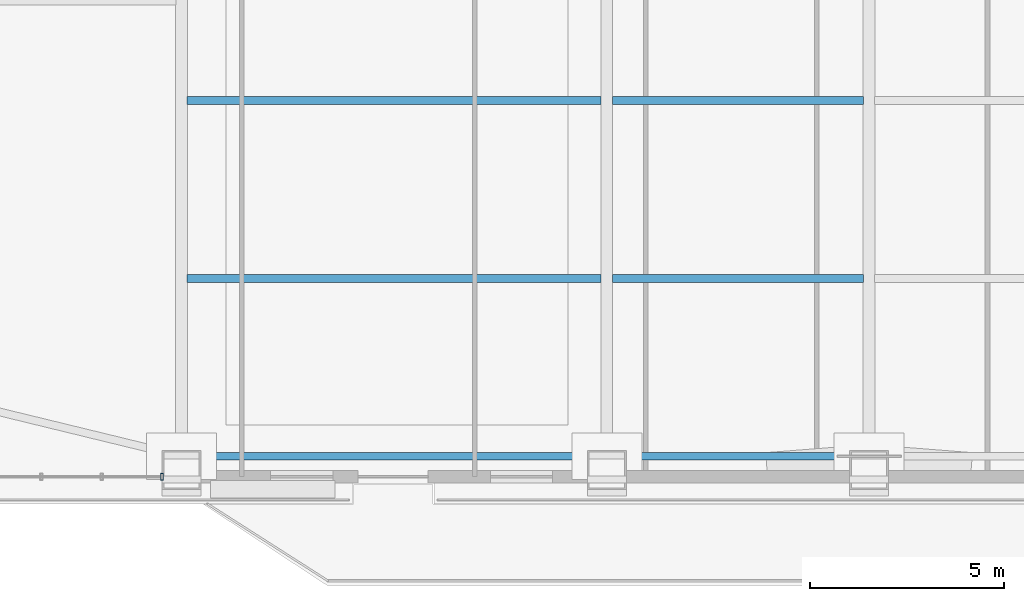
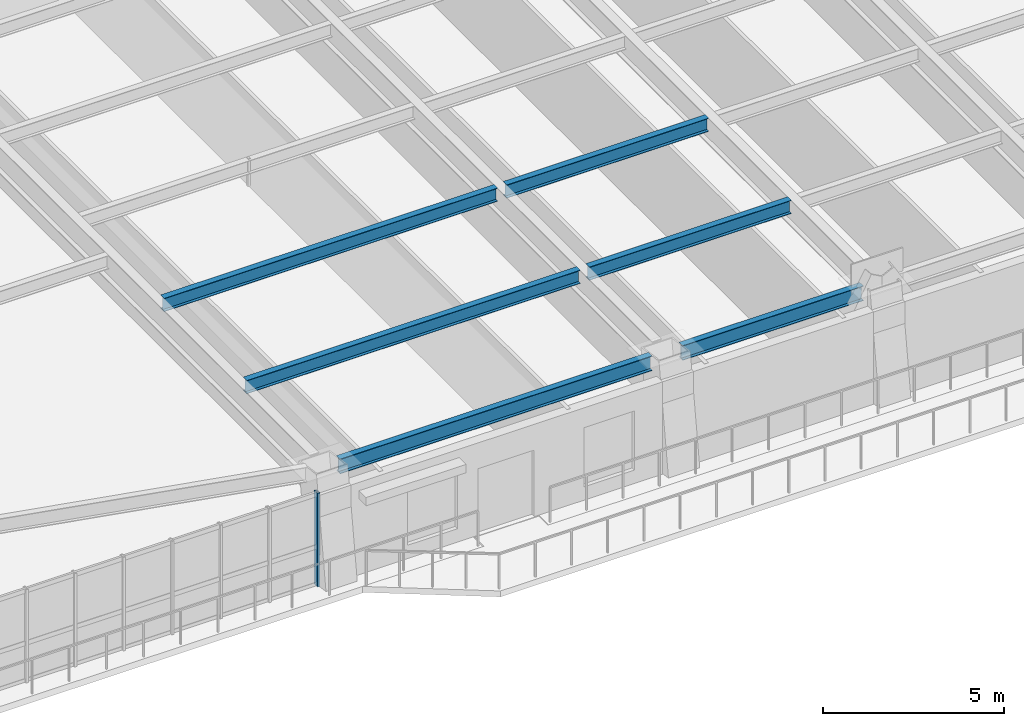
# One storey, part 4 of 18: 6 beams, 1 member, 1 element without a shape of its own.
"""IFC4 building model written with IfcOpenShell, lengths in metres."""

from ifc_helpers import new_model, si_unit, direction, frame, origin, origin_2d, place, context, subcontext, project, spatial, hollow_rectangle, i_section, extrude, source, transform, mapped, material, layer, layer_set, material_profile, profile_set, type_object, element, aggregate, save


model = new_model("IFC4")

# Units and contexts
model_context = context("Model", 3, precision=1e-05, world=origin(), true_north=direction((0.0, 1.0)))
body_context = subcontext(model_context, "Body", "Model", "MODEL_VIEW")
ifc_project = project(units=[si_unit("LENGTHUNIT", "METRE"), si_unit("AREAUNIT", "SQUARE_METRE"), si_unit("VOLUMEUNIT", "CUBIC_METRE"), si_unit("PLANEANGLEUNIT", "RADIAN"), si_unit("MASSUNIT", "GRAM", prefix="KILO")], contexts=[model_context])

# Site, building, storey
site_placement = place(None, origin())
site = spatial("IfcSite", under=ifc_project, at=site_placement, CompositionType="ELEMENT")
building_placement = place(site_placement, origin())
building = spatial("IfcBuilding", under=site, at=building_placement, Name="Giltprow Tower", CompositionType="ELEMENT")
storey_placement = place(building_placement, frame((0.0, 0.0, 68.89990234375)))
storey = spatial("IfcBuildingStorey", under=building, at=storey_placement, Name="L17", CompositionType="ELEMENT", Elevation=68.89990234375)

# Beams
ifc_material_1 = material(Name="Structural steel Q355B", Category="steel")
ifc_material_profile_1 = material_profile(ifc_material_1, i_section(OverallWidth=0.199951171875, OverallDepth=0.449951171875, WebThickness=0.009033203125, FlangeThickness=0.013916015625, at=origin_2d()), Name="HN 450x200x9x14")
ifc_profile_set_1 = profile_set([ifc_material_profile_1], Name="Structural steel Q355B")
beam_type_1 = type_object("IfcBeamType", Name="BM-JOIST-HN450", PredefinedType="JOIST", material=ifc_profile_set_1)
shared_shape_1 = source(origin(), body_context, "Body", "SweptSolid", [
    extrude(i_section(OverallWidth=0.199951171875, OverallDepth=0.449951171875, WebThickness=0.009033203125, FlangeThickness=0.013916015625, at=origin_2d()), origin(), (0.0, 0.0, 1.0), 10.659912109375),
])
for number, where, z_axis, x_axis, name in (
    (1, (19.9951171875, 9.986083984375, 3.4150390625), (1.0, 0.0, 0.0), (0.0, 1.0, 0.0), "L17 Composite Floor Joist 1-1"),
    (2, (19.9951171875, 14.56396484375, 3.4150390625), (1.0, 0.0, 0.0), (0.0, 1.0, 0.0), "L17 Composite Floor Joist 2-1"),
):
    element("IfcBeam", number, at=place(storey_placement, frame(where, z_axis=z_axis, x_axis=x_axis)), inside=storey, type_object=beam_type_1, Name=name, PredefinedType="JOIST", context=body_context, shape_type="MappedRepresentation", body=[
        mapped(shared_shape_1, transform((0.0, 0.0, 0.0), x_axis=(1.0, 0.0, 0.0), y_axis=(0.0, 1.0, 0.0), z_axis=(0.0, 0.0, 1.0), scale=1.0)),
    ])
shared_shape_2 = source(origin(), body_context, "Body", "SweptSolid", [
    extrude(i_section(OverallWidth=0.199951171875, OverallDepth=0.449951171875, WebThickness=0.009033203125, FlangeThickness=0.013916015625, at=origin_2d()), origin(), (0.0, 0.0, 1.0), 6.4599609375),
])
for number, where, z_axis, x_axis, name in (
    (3, (30.945068359375, 9.986083984375, 3.4150390625), (1.0, 0.0, 0.0), (0.0, 1.0, 0.0), "L17 Composite Floor Joist 1-2"),
    (4, (30.945068359375, 14.56396484375, 3.4150390625), (1.0, 0.0, 0.0), (0.0, 1.0, 0.0), "L17 Composite Floor Joist 2-2"),
):
    element("IfcBeam", number, at=place(storey_placement, frame(where, z_axis=z_axis, x_axis=x_axis)), inside=storey, type_object=beam_type_1, Name=name, PredefinedType="JOIST", context=body_context, shape_type="MappedRepresentation", body=[
        mapped(shared_shape_2, transform((0.0, 0.0, 0.0), x_axis=(1.0, 0.0, 0.0), y_axis=(0.0, 1.0, 0.0), z_axis=(0.0, 0.0, 1.0), scale=1.0)),
    ])
ifc_material_profile_2 = material_profile(ifc_material_1, i_section(OverallWidth=0.199951171875, OverallDepth=0.5, WebThickness=0.010009765625, FlangeThickness=0.01611328125, at=origin_2d()), Name="HN 500x200x10x16")
ifc_profile_set_2 = profile_set([ifc_material_profile_2], Name="Structural steel Q355B")
beam_type_2 = type_object("IfcBeamType", Name="BM-SPAN-HN500", PredefinedType="SPANDREL", material=ifc_profile_set_2)
shared_shape_3 = source(origin(), body_context, "Body", "SweptSolid", [
    extrude(i_section(OverallWidth=0.199951171875, OverallDepth=0.5, WebThickness=0.010009765625, FlangeThickness=0.01611328125, at=origin_2d()), origin(), (0.0, 0.0, 1.0), 9.97998046875),
])
beam_1_placement = place(storey_placement, frame((20.3349609375, 5.408935546875, 3.39013671875), z_axis=(1.0, 0.0, 0.0), x_axis=(0.0, 1.0, 0.0)))
element("IfcBeam", 5, at=beam_1_placement, inside=storey, type_object=beam_type_2, Name="L17 Perimeter Spandrel Beam S1-S2", PredefinedType="SPANDREL", context=body_context, shape_type="MappedRepresentation", body=[
    mapped(shared_shape_3, transform((0.0, 0.0, 0.0), x_axis=(1.0, 0.0, 0.0), y_axis=(0.0, 1.0, 0.0), z_axis=(0.0, 0.0, 1.0), scale=1.0)),
])
shared_shape_4 = source(origin(), body_context, "Body", "SweptSolid", [
    extrude(i_section(OverallWidth=0.199951171875, OverallDepth=0.5, WebThickness=0.010009765625, FlangeThickness=0.01611328125, at=origin_2d()), origin(), (0.0, 0.0, 1.0), 5.780029296875),
])
beam_2_placement = place(storey_placement, frame((31.284912109375, 5.408935546875, 3.39013671875), z_axis=(1.0, 0.0, 0.0), x_axis=(0.0, 1.0, 0.0)))
element("IfcBeam", 6, at=beam_2_placement, inside=storey, type_object=beam_type_2, Name="L17 Perimeter Spandrel Beam S2-S_MID", PredefinedType="SPANDREL", context=body_context, shape_type="MappedRepresentation", body=[
    mapped(shared_shape_4, transform((0.0, 0.0, 0.0), x_axis=(1.0, 0.0, 0.0), y_axis=(0.0, 1.0, 0.0), z_axis=(0.0, 0.0, 1.0), scale=1.0)),
])

# Curtain wall, member
ifc_material_2 = material(Name="Anodized bronze", Category="metal")
ifc_layer = layer(ifc_material_2, 0.179931640625, Name="Anodized bronze")
ifc_layer_set = layer_set([ifc_layer], Name="Anodized bronze")
curtain_wall_type = type_object("IfcCurtainWallType", Name="CW-OFF-RECESSED", PredefinedType="NOTDEFINED", material=ifc_layer_set)
curtain_wall_placement = place(storey_placement, origin())
curtain_wall = element("IfcCurtainWall", 7, at=curtain_wall_placement, inside=storey, type_object=curtain_wall_type, Name="L17 South Recessed Curtain Wall 1", PredefinedType="NOTDEFINED")
ifc_material_profile_3 = material_profile(ifc_material_2, hollow_rectangle(XDim=0.074951171875, YDim=0.179931640625, WallThickness=0.008056640625, at=origin_2d()), Name="RHS 180x75x8")
ifc_profile_set_3 = profile_set([ifc_material_profile_3], Name="Anodized bronze")
member_type = type_object("IfcMemberType", Name="CW-MULLION-180x75", PredefinedType="MULLION", material=ifc_profile_set_3)
shared_shape_5 = source(origin(), body_context, "Body", "SweptSolid", [
    extrude(hollow_rectangle(XDim=0.074951171875, YDim=0.179931640625, WallThickness=0.008056640625, at=origin_2d()), origin(), (0.0, 0.0, 1.0), 3.175048828125),
])
member_placement = place(storey_placement, frame((19.35009765625, 4.882080078125, -0.02001953125), z_axis=(0.0, 0.0, 1.0), x_axis=(1.0, 0.0, 0.0)))
member = element("IfcMember", 8, at=member_placement, type_object=member_type, Name="L17 South Recessed Curtain Wall 1 Mullion 9", PredefinedType="MULLION", context=body_context, shape_type="MappedRepresentation", body=[
    mapped(shared_shape_5, transform((0.0, 0.0, 0.0), x_axis=(1.0, 0.0, 0.0), y_axis=(0.0, 1.0, 0.0), z_axis=(0.0, 0.0, 1.0), scale=1.0)),
])
aggregate(curtain_wall, [member])

save(model, "model.ifc")
